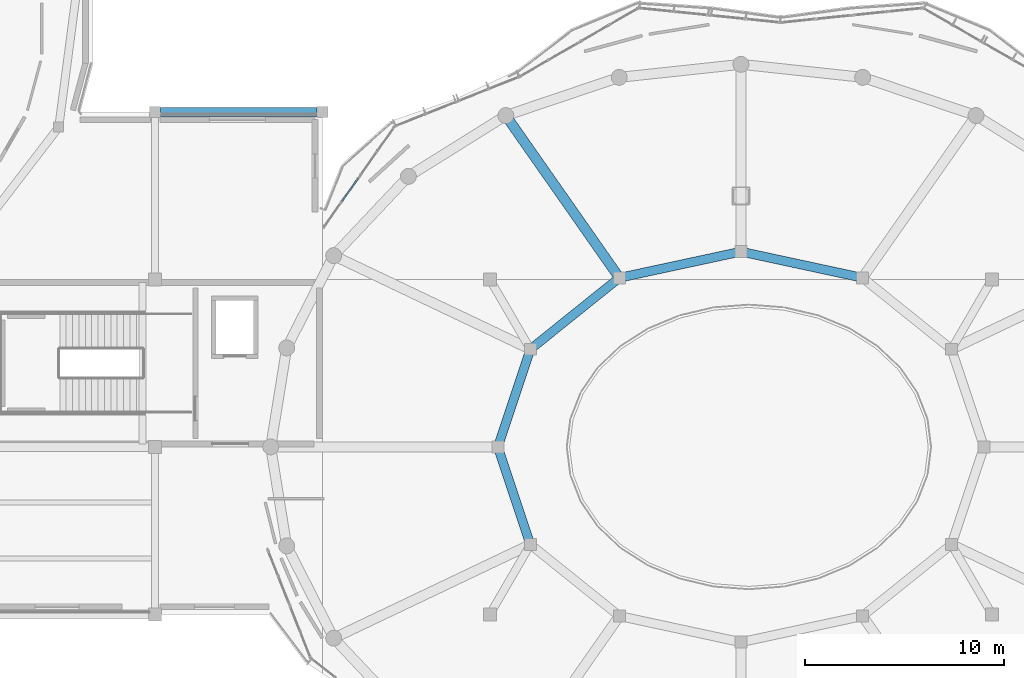
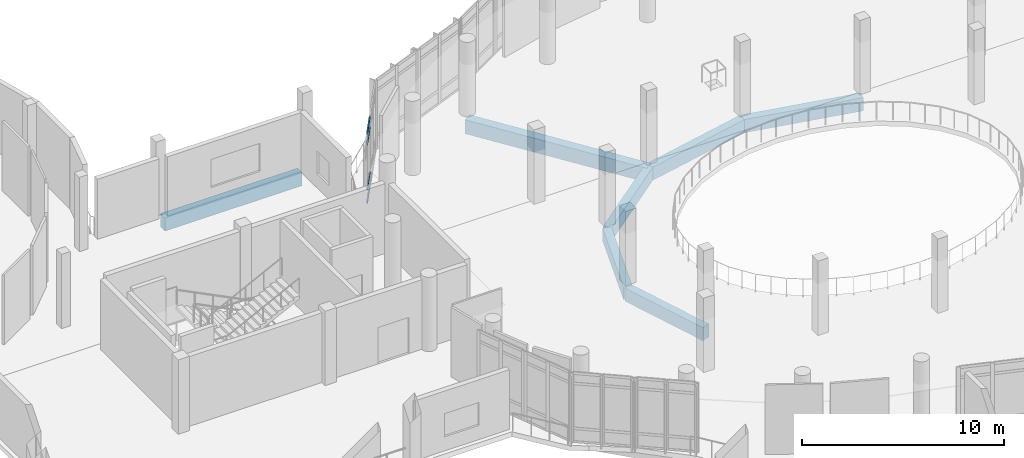
# One storey, part 11 of 46: 7 beams, 4 members, 1 element without a shape of its own.
"""IFC4 building model written with IfcOpenShell, lengths in metres."""

import ifcopenshell
import ifcopenshell.guid

model = None  # the IFC model being written
_history = None  # IfcOwnerHistory: only IFC2X3 demands one
_inside = {}  # id of a spatial element -> (the spatial element, [elements in it])
_under = {}  # id of a project, library or spatial element -> (it, [spatial elements below it])
_declared = {}  # id of a project -> (the project, [libraries it declares])
_typed = {}  # id of a type object -> (the type object, [elements of that type])
_made_of = {}  # id of a material, layer set ... -> (it, [elements and type objects made of it])


def new_model(schema):
    """Start an empty IFC model of exactly this schema.

    Asked for "IFC4X3", IfcOpenShell would pick the latest addendum, in which some entities
    have other attributes; the version numbers below select the first issue.
    IFC2X3 requires an IfcOwnerHistory on every rooted entity: one is made here for all.
    """
    global model, _history
    if schema == "IFC4X3":
        model = ifcopenshell.file(schema_version=(4, 3, 0, 0))
    else:
        model = ifcopenshell.file(schema=schema)
    _inside.clear()
    _under.clear()
    _declared.clear()
    _typed.clear()
    _made_of.clear()
    _history = None
    if model.schema == "IFC2X3":
        org = make("IfcOrganization", Name="unknown")
        user = make(
            "IfcPersonAndOrganization",
            ThePerson=make("IfcPerson", FamilyName="unknown"),
            TheOrganization=org,
        )
        app = make(
            "IfcApplication",
            ApplicationDeveloper=org,
            Version="unknown",
            ApplicationFullName="unknown",
            ApplicationIdentifier="unknown",
        )
        _history = make(
            "IfcOwnerHistory",
            OwningUser=user,
            OwningApplication=app,
            ChangeAction="ADDED",
            CreationDate=0,
        )
    return model


def make(cls, **values):
    """One entity of the class cls with the attributes given. An attribute that is None is left unset."""
    return model.create_entity(
        cls, **{name: value for name, value in values.items() if value is not None}
    )


def rooted(cls, **values):
    """An entity with a GlobalId (a new one), such as an element, a storey or a relation."""
    return make(cls, GlobalId=ifcopenshell.guid.new(), OwnerHistory=_history, **values)


def si_unit(unit_type, name, prefix=None):
    """IfcSIUnit, for example si_unit("LENGTHUNIT", "METRE", prefix="MILLI")."""
    return make("IfcSIUnit", UnitType=unit_type, Prefix=prefix, Name=name)


def derived_unit(unit_type, elements):
    """IfcDerivedUnit: a product of units, each with its exponent."""
    return make(
        "IfcDerivedUnit",
        Elements=[
            make("IfcDerivedUnitElement", Unit=unit, Exponent=power)
            for unit, power in elements
        ],
        UnitType=unit_type,
    )


def assignment(units):
    """IfcUnitAssignment: the units of a project."""
    return None if units is None else make("IfcUnitAssignment", Units=units)


def point(xyz):
    """IfcCartesianPoint."""
    return None if xyz is None else make("IfcCartesianPoint", Coordinates=xyz)


def direction(xyz):
    """IfcDirection."""
    return None if xyz is None else make("IfcDirection", DirectionRatios=xyz)


def frame(location, z_axis=None, x_axis=None):
    """IfcAxis2Placement3D, a coordinate frame: its origin and axes. An axis left out is left unset."""
    return make(
        "IfcAxis2Placement3D",
        Location=point(location),
        Axis=direction(z_axis),
        RefDirection=direction(x_axis),
    )


def frame_2d(location, x_axis=None):
    """IfcAxis2Placement2D, a coordinate frame in the plane: its origin and x axis."""
    return make(
        "IfcAxis2Placement2D", Location=point(location), RefDirection=direction(x_axis)
    )


def origin():
    """The frame at (0, 0, 0) with its axes left unset."""
    return frame((0.0, 0.0, 0.0))


def origin_2d():
    """The frame at (0, 0) in the plane with its x axis left unset."""
    return frame_2d((0.0, 0.0))


def place(relative_to, where):
    """IfcLocalPlacement: puts the frame where relative to a parent placement (None: the world)."""
    return make(
        "IfcLocalPlacement", PlacementRelTo=relative_to, RelativePlacement=where
    )


def context(
    kind, dimensions, precision=None, world=None, true_north=None, identifier=None
):
    """IfcGeometricRepresentationContext, for example the 3D "Model" context."""
    return make(
        "IfcGeometricRepresentationContext",
        ContextIdentifier=identifier,
        ContextType=kind,
        CoordinateSpaceDimension=dimensions,
        Precision=precision,
        WorldCoordinateSystem=world,
        TrueNorth=true_north,
    )


def subcontext(parent, identifier, kind, view, scale=None):
    """IfcGeometricRepresentationSubContext, for example "Body" below "Model"."""
    return make(
        "IfcGeometricRepresentationSubContext",
        ContextIdentifier=identifier,
        ContextType=kind,
        ParentContext=parent,
        TargetScale=scale,
        TargetView=view,
    )


def project(units=None, contexts=None):
    """IfcProject with its units and contexts."""
    return rooted(
        "IfcProject",
        Name="project",
        RepresentationContexts=contexts,
        UnitsInContext=assignment(units),
    )


def spatial(cls, under=None, at=None, **own):
    """A site, building, storey or space (cls), placed at a placement, below another one or the project."""
    s = rooted(cls, ObjectPlacement=at, **own)
    if under is not None:
        _under.setdefault(under.id(), (under, []))[1].append(s)
    return s


def profile(cls, at=None, kind="AREA", **sizes):
    """A parametric profile (cls). Its sizes go by their IFC names, for example OverallWidth=200.0."""
    return make(cls, ProfileType=kind, Position=at, **sizes)


def rectangle(**sizes):
    """IfcRectangleProfileDef."""
    return profile("IfcRectangleProfileDef", **sizes)


def hollow_rectangle(**sizes):
    """IfcRectangleHollowProfileDef."""
    return profile("IfcRectangleHollowProfileDef", **sizes)


def extrude(swept, where, along, depth):
    """IfcExtrudedAreaSolid: the profile swept, set in the frame where, extruded along a direction by depth."""
    return make(
        "IfcExtrudedAreaSolid",
        SweptArea=swept,
        Position=where,
        ExtrudedDirection=direction(along),
        Depth=depth,
    )


def shape(context_of_items, identifier, shape_type, items):
    """IfcShapeRepresentation: the items that make up one representation, for example the "Body"."""
    return make(
        "IfcShapeRepresentation",
        ContextOfItems=context_of_items,
        RepresentationIdentifier=identifier,
        RepresentationType=shape_type,
        Items=items,
    )


def material(Name=None, Category=None):
    """IfcMaterial."""
    return make("IfcMaterial", Name=Name, Category=Category)


def layer(
    of_material, thickness, ventilated=None, Name=None, Category=None, Priority=None
):
    """IfcMaterialLayer: one layer of a wall or slab, of a material (None: an air gap)."""
    return make(
        "IfcMaterialLayer",
        Material=of_material,
        LayerThickness=thickness,
        IsVentilated=ventilated,
        Name=Name,
        Category=Category,
        Priority=Priority,
    )


def layer_set(layers, Name=None):
    """IfcMaterialLayerSet."""
    return make("IfcMaterialLayerSet", MaterialLayers=layers, LayerSetName=Name)


def material_profile(
    of_material, cross_section, Name=None, Category=None, Priority=None
):
    """IfcMaterialProfile: a cross section and its material."""
    return make(
        "IfcMaterialProfile",
        Name=Name,
        Material=of_material,
        Profile=cross_section,
        Priority=Priority,
        Category=Category,
    )


def profile_set(profiles, Name=None, composite=None):
    """IfcMaterialProfileSet."""
    return make(
        "IfcMaterialProfileSet",
        Name=Name,
        MaterialProfiles=profiles,
        CompositeProfile=composite,
    )


def made_of(thing, what):
    """Note that an element or type object is made of a material, layer set ...; save() writes the relation."""
    if what is not None:
        _made_of.setdefault(what.id(), (what, []))[1].append(thing)
    return thing


def type_object(cls, material=None, **own):
    """A type object (cls), such as IfcWallType, which elements share."""
    return made_of(rooted(cls, **own), material)


def element(
    cls,
    number,
    at=None,
    inside=None,
    cuts=None,
    type_object=None,
    material=None,
    context=None,
    identifier="Body",
    shape_type=None,
    held_by="IfcProductDefinitionShape",
    body=None,
    shapes=None,
    **own,
):
    """One element of the class cls, such as IfcWall. Its Tag is "e" and its number.

    at: its placement. inside: the storey or other place that contains it. cuts: it is an
    opening in that element (IfcRelVoidsElement). A single representation is given by context,
    identifier, shape_type and body (its items); several are given by shapes. held_by: the class
    of the entity that holds the representations. save() writes the other relations.
    """
    e = rooted(cls, Tag="e%d" % number, ObjectPlacement=at, **own)
    if body is not None:
        shapes = [shape(context, identifier, shape_type, body)]
    if shapes is not None:
        e.Representation = make(held_by, Representations=shapes)
    if inside is not None:
        _inside.setdefault(inside.id(), (inside, []))[1].append(e)
    if cuts is not None:
        rooted(
            "IfcRelVoidsElement", RelatingBuildingElement=cuts, RelatedOpeningElement=e
        )
    if type_object is not None:
        _typed.setdefault(type_object.id(), (type_object, []))[1].append(e)
    return made_of(e, material)


def aggregate(whole, parts):
    """IfcRelAggregates: a whole, such as a stair, and the parts it consists of."""
    return rooted("IfcRelAggregates", RelatingObject=whole, RelatedObjects=parts)


def save(model, path):
    """Write the relations noted so far, then the file.

    IfcRelAggregates (storeys below a building ...), IfcRelContainedInSpatialStructure (elements
    in a storey), IfcRelDefinesByType, IfcRelAssociatesMaterial and IfcRelDeclares: one each for
    every whole, place, type object, material and project.
    """
    for whole, parts in _under.values():
        aggregate(whole, parts)
    for where, things in _inside.values():
        rooted(
            "IfcRelContainedInSpatialStructure",
            RelatedElements=things,
            RelatingStructure=where,
        )
    for kind, things in _typed.values():
        rooted("IfcRelDefinesByType", RelatedObjects=things, RelatingType=kind)
    for what, things in _made_of.values():
        rooted("IfcRelAssociatesMaterial", RelatedObjects=things, RelatingMaterial=what)
    for by, libraries in _declared.values():
        rooted("IfcRelDeclares", RelatingContext=by, RelatedDefinitions=libraries)
    model.write(path)


model = new_model("IFC4")

# Units and contexts
model_context = context("Model", 3, precision=1e-05, world=origin(), true_north=direction((0.0, 1.0)))
body_context = subcontext(model_context, "Body", "Model", "MODEL_VIEW")
ifc_project = project(units=[si_unit("LENGTHUNIT", "METRE"), si_unit("AREAUNIT", "SQUARE_METRE"), si_unit("VOLUMEUNIT", "CUBIC_METRE"), si_unit("PLANEANGLEUNIT", "RADIAN"), si_unit("MASSUNIT", "GRAM", prefix="KILO"), derived_unit("THERMALTRANSMITTANCEUNIT", [(si_unit("POWERUNIT", "WATT"), 1), (si_unit("LENGTHUNIT", "METRE"), -2), (si_unit("THERMODYNAMICTEMPERATUREUNIT", "KELVIN"), -1)])], contexts=[model_context])

# Site, building, storey
site_placement = place(None, origin())
site = spatial("IfcSite", under=ifc_project, at=site_placement, CompositionType="ELEMENT")
building_placement = place(site_placement, origin())
building = spatial("IfcBuilding", under=site, at=building_placement, Name="Elbkamm Science Centre", CompositionType="ELEMENT")
storey_placement = place(building_placement, frame((0.0, 0.0, 9.89990234375)))
storey = spatial("IfcBuildingStorey", under=building, at=storey_placement, Name="L02", CompositionType="ELEMENT", Elevation=9.89990234375)

# Beams
ifc_material_1 = material(Name="Concrete C40/50", Category="concrete")
ifc_material_profile_1 = material_profile(ifc_material_1, rectangle(XDim=0.449951171875, YDim=0.800048828125, at=origin_2d()), Name="RC 450x800")
ifc_profile_set_1 = profile_set([ifc_material_profile_1], Name="Concrete C40/50")
beam_type_1 = type_object("IfcBeamType", Name="BM-RC-450x800", PredefinedType="BEAM", material=ifc_profile_set_1)
beam_1_placement = place(storey_placement, frame((33.875, 84.0, -0.699951171875), z_axis=(1.0, 0.0, 0.0), x_axis=(0.0, 1.0, 0.0)))
element("IfcBeam", 1, at=beam_1_placement, inside=storey, type_object=beam_type_1, Name="L02 Primary X-Girder 046", PredefinedType="BEAM", context=body_context, shape_type="SweptSolid", body=[
    extrude(rectangle(XDim=0.449951171875, YDim=0.800048828125, at=origin_2d()), origin(), (0.0, 0.0, 1.0), 7.85009765625),
])
for number, where, z_axis, x_axis, name in (
    (2, (69.10009765625, 75.68701171875, -0.699951171875), (-0.97761076487, 0.210421463759, 0.0), (-0.210421463759, -0.97761076487, 0.0), "L02 Atrium Ring Girder 03"),
    (3, (63.0, 77.0, -0.699951171875), (-0.97761076487, -0.210421463759, 0.0), (0.210421463759, -0.97761076487, 0.0), "L02 Atrium Ring Girder 04"),
):
    element("IfcBeam", number, at=place(storey_placement, frame(where, z_axis=z_axis, x_axis=x_axis)), inside=storey, type_object=beam_type_1, Name=name, PredefinedType="BEAM", context=body_context, shape_type="SweptSolid", body=[
        extrude(rectangle(XDim=0.449951171875, YDim=0.800048828125, at=origin_2d()), origin(), (0.0, 0.0, 1.0), 6.23974609375),
    ])
beam_2_placement = place(storey_placement, frame((56.89990234375, 75.68701171875, -0.699951171875), z_axis=(-0.779653109273, -0.626211648887, 0.0), x_axis=(0.626211648887, -0.779653109273, 0.0)))
element("IfcBeam", 4, at=beam_2_placement, inside=storey, type_object=beam_type_1, Name="L02 Atrium Ring Girder 05", PredefinedType="BEAM", context=body_context, shape_type="SweptSolid", body=[
    extrude(rectangle(XDim=0.449951171875, YDim=0.800048828125, at=origin_2d()), origin(), (0.0, 0.0, 1.0), 5.72802734375),
])
beam_3_placement = place(storey_placement, frame((52.43408203125, 72.10009765625, -0.699951171875), z_axis=(-0.31634119852, -0.948645479681, 0.0), x_axis=(0.948645479681, -0.31634119852, 0.0)))
element("IfcBeam", 5, at=beam_3_placement, inside=storey, type_object=beam_type_1, Name="L02 Atrium Ring Girder 06", PredefinedType="BEAM", context=body_context, shape_type="SweptSolid", body=[
    extrude(rectangle(XDim=0.449951171875, YDim=0.800048828125, at=origin_2d()), origin(), (0.0, 0.0, 1.0), 5.16552734375),
])
beam_4_placement = place(storey_placement, frame((50.800048828125, 67.199951171875, -0.699951171875), z_axis=(0.316355382987, -0.948640749523, 0.0), x_axis=(0.948640749523, 0.316355382987, 0.0)))
element("IfcBeam", 6, at=beam_4_placement, inside=storey, type_object=beam_type_1, Name="L02 Atrium Ring Girder 07", PredefinedType="BEAM", context=body_context, shape_type="SweptSolid", body=[
    extrude(rectangle(XDim=0.449951171875, YDim=0.800048828125, at=origin_2d()), origin(), (0.0, 0.0, 1.0), 5.165283203125),
])
ifc_material_profile_2 = material_profile(ifc_material_1, rectangle(XDim=0.5, YDim=0.85009765625, at=origin_2d()), Name="RC 500x850")
ifc_profile_set_2 = profile_set([ifc_material_profile_2], Name="Concrete C40/50")
beam_type_2 = type_object("IfcBeamType", Name="BM-RC-500x850", PredefinedType="BEAM", material=ifc_profile_set_2)
beam_5_placement = place(storey_placement, frame((56.89990234375, 75.68701171875, -0.724853515625), z_axis=(-0.573553022395, 0.819168438419, 0.0), x_axis=(-0.819168438419, -0.573553022395, 0.0)))
element("IfcBeam", 7, at=beam_5_placement, inside=storey, type_object=beam_type_2, Name="L02 Elliptical Radial Girder 05", PredefinedType="BEAM", context=body_context, shape_type="SweptSolid", body=[
    extrude(rectangle(XDim=0.5, YDim=0.85009765625, at=origin_2d()), origin(), (0.0, 0.0, 1.0), 9.93798828125),
])

# Curtain wall, members
ifc_material_2 = material(Name="Powder-coated aluminium and triple low-E glazing", Category="aluminium")
ifc_layer = layer(ifc_material_2, 0.159912109375)
ifc_layer_set = layer_set([ifc_layer], Name="Powder-coated aluminium and triple low-E glazing")
curtain_wall_type = type_object("IfcCurtainWallType", Name="CW-UNIT-3060x4220", PredefinedType="USERDEFINED", material=ifc_layer_set)
curtain_wall_placement = place(storey_placement, origin())
curtain_wall = element("IfcCurtainWall", 8, at=curtain_wall_placement, inside=storey, type_object=curtain_wall_type, Name="L02 Unitised Curtain Wall 035", ObjectType="UNITISED CURTAIN WALL", PredefinedType="USERDEFINED")
ifc_material_3 = material(Name="Powder-coated aluminium EN AW-6060", Category="aluminium")
ifc_material_profile_3 = material_profile(ifc_material_3, hollow_rectangle(XDim=0.070068359375, YDim=0.14990234375, WallThickness=0.00390625, at=origin_2d()), Name="ALU T70x150")
ifc_profile_set_3 = profile_set([ifc_material_profile_3], Name="Powder-coated aluminium EN AW-6060")
member_type = type_object("IfcMemberType", Name="CW-TRN-70x150", PredefinedType="USERDEFINED", material=ifc_profile_set_3)
member_1_placement = place(storey_placement, frame((43.7919921875, 80.671875, 0.03515625), z_axis=(-0.575744627832, -0.817629575983, 0.0), x_axis=(0.817629575983, -0.575744627832, 0.0)))
member_1 = element("IfcMember", 9, at=member_1_placement, type_object=member_type, Name="CW-012 transom 1.1", ObjectType="TRANSOM", PredefinedType="USERDEFINED", context=body_context, shape_type="SweptSolid", body=[
    extrude(hollow_rectangle(XDim=0.070068359375, YDim=0.14990234375, WallThickness=0.00390625, at=origin_2d()), origin(), (0.0, 0.0, 1.0), 1.420166015625),
])
member_2_placement = place(storey_placement, frame((43.7919921875, 80.671875, 0.85009765625), z_axis=(-0.575744627832, -0.817629575983, 0.0), x_axis=(0.817629575983, -0.575744627832, 0.0)))
member_2 = element("IfcMember", 10, at=member_2_placement, type_object=member_type, Name="CW-012 transom 1.2", ObjectType="TRANSOM", PredefinedType="USERDEFINED", context=body_context, shape_type="SweptSolid", body=[
    extrude(hollow_rectangle(XDim=0.070068359375, YDim=0.14990234375, WallThickness=0.00390625, at=origin_2d()), origin(), (0.0, 0.0, 1.0), 1.420166015625),
])
member_3_placement = place(storey_placement, frame((43.7919921875, 80.671875, 3.570068359375), z_axis=(-0.575744627832, -0.817629575983, 0.0), x_axis=(0.817629575983, -0.575744627832, 0.0)))
member_3 = element("IfcMember", 11, at=member_3_placement, type_object=member_type, Name="CW-012 transom 1.3", ObjectType="TRANSOM", PredefinedType="USERDEFINED", context=body_context, shape_type="SweptSolid", body=[
    extrude(hollow_rectangle(XDim=0.070068359375, YDim=0.14990234375, WallThickness=0.00390625, at=origin_2d()), origin(), (0.0, 0.0, 1.0), 1.420166015625),
])
member_4_placement = place(storey_placement, frame((43.7919921875, 80.671875, 4.18505859375), z_axis=(-0.575744627832, -0.817629575983, 0.0), x_axis=(0.817629575983, -0.575744627832, 0.0)))
member_4 = element("IfcMember", 12, at=member_4_placement, type_object=member_type, Name="CW-012 transom 1.4", ObjectType="TRANSOM", PredefinedType="USERDEFINED", context=body_context, shape_type="SweptSolid", body=[
    extrude(hollow_rectangle(XDim=0.070068359375, YDim=0.14990234375, WallThickness=0.00390625, at=origin_2d()), origin(), (0.0, 0.0, 1.0), 1.420166015625),
])
aggregate(curtain_wall, [member_1, member_2, member_3, member_4])

save(model, "model.ifc")
